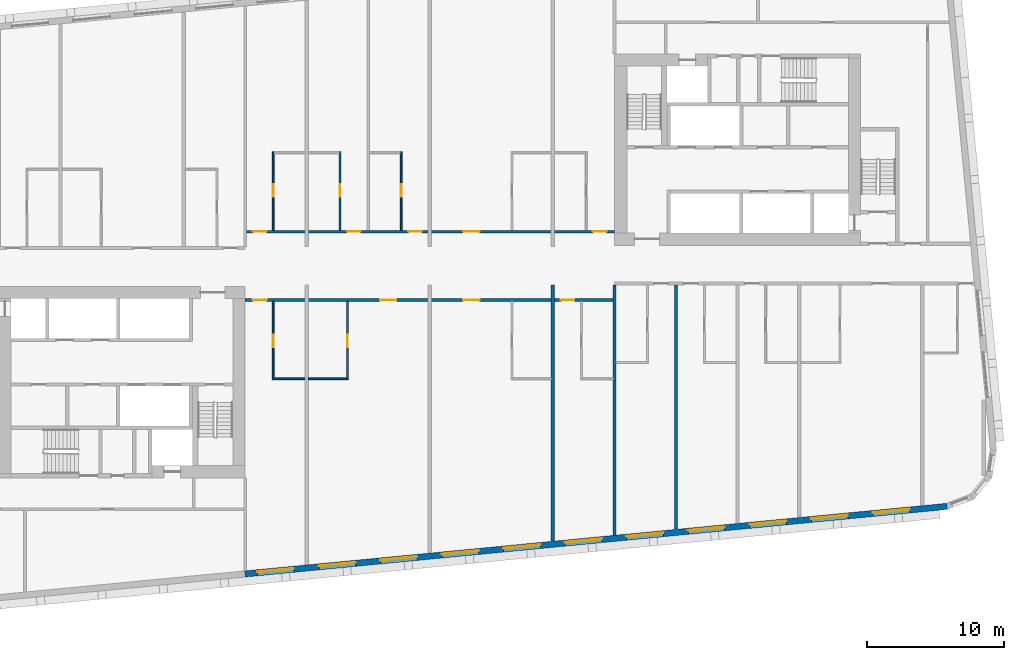
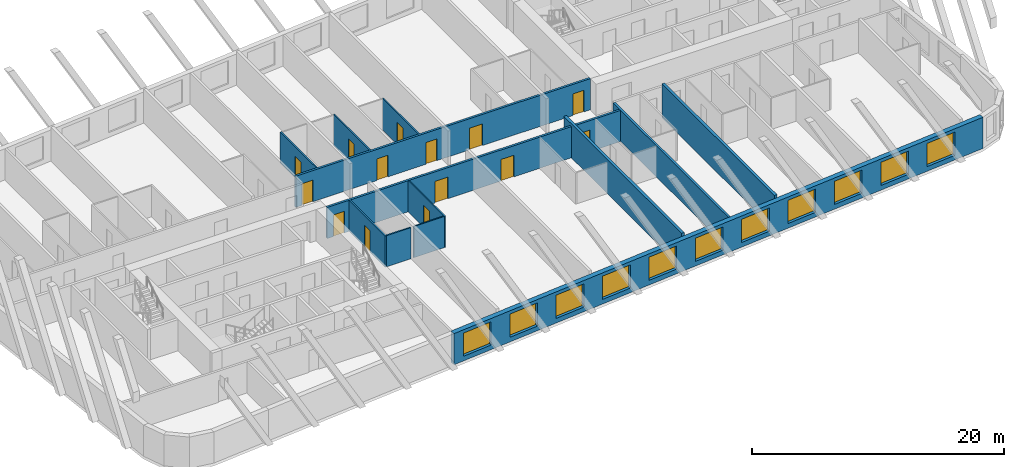
# One storey, part 4 of 13: 14 doors, 13 walls, 11 windows, 25 openings.
"""IFC4 building model written with IfcOpenShell, lengths in metres."""

import ifcopenshell
import ifcopenshell.guid

model = None  # the IFC model being written
_history = None  # IfcOwnerHistory: only IFC2X3 demands one
_inside = {}  # id of a spatial element -> (the spatial element, [elements in it])
_under = {}  # id of a project, library or spatial element -> (it, [spatial elements below it])
_declared = {}  # id of a project -> (the project, [libraries it declares])
_typed = {}  # id of a type object -> (the type object, [elements of that type])
_made_of = {}  # id of a material, layer set ... -> (it, [elements and type objects made of it])


def new_model(schema):
    """Start an empty IFC model of exactly this schema.

    Asked for "IFC4X3", IfcOpenShell would pick the latest addendum, in which some entities
    have other attributes; the version numbers below select the first issue.
    IFC2X3 requires an IfcOwnerHistory on every rooted entity: one is made here for all.
    """
    global model, _history
    if schema == "IFC4X3":
        model = ifcopenshell.file(schema_version=(4, 3, 0, 0))
    else:
        model = ifcopenshell.file(schema=schema)
    _inside.clear()
    _under.clear()
    _declared.clear()
    _typed.clear()
    _made_of.clear()
    _history = None
    if model.schema == "IFC2X3":
        org = make("IfcOrganization", Name="unknown")
        user = make(
            "IfcPersonAndOrganization",
            ThePerson=make("IfcPerson", FamilyName="unknown"),
            TheOrganization=org,
        )
        app = make(
            "IfcApplication",
            ApplicationDeveloper=org,
            Version="unknown",
            ApplicationFullName="unknown",
            ApplicationIdentifier="unknown",
        )
        _history = make(
            "IfcOwnerHistory",
            OwningUser=user,
            OwningApplication=app,
            ChangeAction="ADDED",
            CreationDate=0,
        )
    return model


def make(cls, **values):
    """One entity of the class cls with the attributes given. An attribute that is None is left unset."""
    return model.create_entity(
        cls, **{name: value for name, value in values.items() if value is not None}
    )


def rooted(cls, **values):
    """An entity with a GlobalId (a new one), such as an element, a storey or a relation."""
    return make(cls, GlobalId=ifcopenshell.guid.new(), OwnerHistory=_history, **values)


def si_unit(unit_type, name, prefix=None):
    """IfcSIUnit, for example si_unit("LENGTHUNIT", "METRE", prefix="MILLI")."""
    return make("IfcSIUnit", UnitType=unit_type, Prefix=prefix, Name=name)


def assignment(units):
    """IfcUnitAssignment: the units of a project."""
    return None if units is None else make("IfcUnitAssignment", Units=units)


def point(xyz):
    """IfcCartesianPoint."""
    return None if xyz is None else make("IfcCartesianPoint", Coordinates=xyz)


def direction(xyz):
    """IfcDirection."""
    return None if xyz is None else make("IfcDirection", DirectionRatios=xyz)


def frame(location, z_axis=None, x_axis=None):
    """IfcAxis2Placement3D, a coordinate frame: its origin and axes. An axis left out is left unset."""
    return make(
        "IfcAxis2Placement3D",
        Location=point(location),
        Axis=direction(z_axis),
        RefDirection=direction(x_axis),
    )


def frame_2d(location, x_axis=None):
    """IfcAxis2Placement2D, a coordinate frame in the plane: its origin and x axis."""
    return make(
        "IfcAxis2Placement2D", Location=point(location), RefDirection=direction(x_axis)
    )


def origin():
    """The frame at (0, 0, 0) with its axes left unset."""
    return frame((0.0, 0.0, 0.0))


def place(relative_to, where):
    """IfcLocalPlacement: puts the frame where relative to a parent placement (None: the world)."""
    return make(
        "IfcLocalPlacement", PlacementRelTo=relative_to, RelativePlacement=where
    )


def context(
    kind, dimensions, precision=None, world=None, true_north=None, identifier=None
):
    """IfcGeometricRepresentationContext, for example the 3D "Model" context."""
    return make(
        "IfcGeometricRepresentationContext",
        ContextIdentifier=identifier,
        ContextType=kind,
        CoordinateSpaceDimension=dimensions,
        Precision=precision,
        WorldCoordinateSystem=world,
        TrueNorth=true_north,
    )


def subcontext(parent, identifier, kind, view, scale=None):
    """IfcGeometricRepresentationSubContext, for example "Body" below "Model"."""
    return make(
        "IfcGeometricRepresentationSubContext",
        ContextIdentifier=identifier,
        ContextType=kind,
        ParentContext=parent,
        TargetScale=scale,
        TargetView=view,
    )


def project(units=None, contexts=None):
    """IfcProject with its units and contexts."""
    return rooted(
        "IfcProject",
        Name="project",
        RepresentationContexts=contexts,
        UnitsInContext=assignment(units),
    )


def spatial(cls, under=None, at=None, **own):
    """A site, building, storey or space (cls), placed at a placement, below another one or the project."""
    s = rooted(cls, ObjectPlacement=at, **own)
    if under is not None:
        _under.setdefault(under.id(), (under, []))[1].append(s)
    return s


def profile(cls, at=None, kind="AREA", **sizes):
    """A parametric profile (cls). Its sizes go by their IFC names, for example OverallWidth=200.0."""
    return make(cls, ProfileType=kind, Position=at, **sizes)


def rectangle(**sizes):
    """IfcRectangleProfileDef."""
    return profile("IfcRectangleProfileDef", **sizes)


def extrude(swept, where, along, depth):
    """IfcExtrudedAreaSolid: the profile swept, set in the frame where, extruded along a direction by depth."""
    return make(
        "IfcExtrudedAreaSolid",
        SweptArea=swept,
        Position=where,
        ExtrudedDirection=direction(along),
        Depth=depth,
    )


def shape(context_of_items, identifier, shape_type, items):
    """IfcShapeRepresentation: the items that make up one representation, for example the "Body"."""
    return make(
        "IfcShapeRepresentation",
        ContextOfItems=context_of_items,
        RepresentationIdentifier=identifier,
        RepresentationType=shape_type,
        Items=items,
    )


def material(Name=None, Category=None):
    """IfcMaterial."""
    return make("IfcMaterial", Name=Name, Category=Category)


def layer(
    of_material, thickness, ventilated=None, Name=None, Category=None, Priority=None
):
    """IfcMaterialLayer: one layer of a wall or slab, of a material (None: an air gap)."""
    return make(
        "IfcMaterialLayer",
        Material=of_material,
        LayerThickness=thickness,
        IsVentilated=ventilated,
        Name=Name,
        Category=Category,
        Priority=Priority,
    )


def layer_set(layers, Name=None):
    """IfcMaterialLayerSet."""
    return make("IfcMaterialLayerSet", MaterialLayers=layers, LayerSetName=Name)


def made_of(thing, what):
    """Note that an element or type object is made of a material, layer set ...; save() writes the relation."""
    if what is not None:
        _made_of.setdefault(what.id(), (what, []))[1].append(thing)
    return thing


def type_object(cls, material=None, **own):
    """A type object (cls), such as IfcWallType, which elements share."""
    return made_of(rooted(cls, **own), material)


def element(
    cls,
    number,
    at=None,
    inside=None,
    cuts=None,
    type_object=None,
    material=None,
    context=None,
    identifier="Body",
    shape_type=None,
    held_by="IfcProductDefinitionShape",
    body=None,
    shapes=None,
    **own,
):
    """One element of the class cls, such as IfcWall. Its Tag is "e" and its number.

    at: its placement. inside: the storey or other place that contains it. cuts: it is an
    opening in that element (IfcRelVoidsElement). A single representation is given by context,
    identifier, shape_type and body (its items); several are given by shapes. held_by: the class
    of the entity that holds the representations. save() writes the other relations.
    """
    e = rooted(cls, Tag="e%d" % number, ObjectPlacement=at, **own)
    if body is not None:
        shapes = [shape(context, identifier, shape_type, body)]
    if shapes is not None:
        e.Representation = make(held_by, Representations=shapes)
    if inside is not None:
        _inside.setdefault(inside.id(), (inside, []))[1].append(e)
    if cuts is not None:
        rooted(
            "IfcRelVoidsElement", RelatingBuildingElement=cuts, RelatedOpeningElement=e
        )
    if type_object is not None:
        _typed.setdefault(type_object.id(), (type_object, []))[1].append(e)
    return made_of(e, material)


def fill(opening, filler):
    """IfcRelFillsElement: the door or window that sits in an opening."""
    return rooted(
        "IfcRelFillsElement",
        RelatingOpeningElement=opening,
        RelatedBuildingElement=filler,
    )


def aggregate(whole, parts):
    """IfcRelAggregates: a whole, such as a stair, and the parts it consists of."""
    return rooted("IfcRelAggregates", RelatingObject=whole, RelatedObjects=parts)


def save(model, path):
    """Write the relations noted so far, then the file.

    IfcRelAggregates (storeys below a building ...), IfcRelContainedInSpatialStructure (elements
    in a storey), IfcRelDefinesByType, IfcRelAssociatesMaterial and IfcRelDeclares: one each for
    every whole, place, type object, material and project.
    """
    for whole, parts in _under.values():
        aggregate(whole, parts)
    for where, things in _inside.values():
        rooted(
            "IfcRelContainedInSpatialStructure",
            RelatedElements=things,
            RelatingStructure=where,
        )
    for kind, things in _typed.values():
        rooted("IfcRelDefinesByType", RelatedObjects=things, RelatingType=kind)
    for what, things in _made_of.values():
        rooted("IfcRelAssociatesMaterial", RelatedObjects=things, RelatingMaterial=what)
    for by, libraries in _declared.values():
        rooted("IfcRelDeclares", RelatingContext=by, RelatedDefinitions=libraries)
    model.write(path)


model = new_model("IFC4")

# Units and contexts
model_context = context("Model", 3, precision=1e-05, world=origin(), true_north=direction((0.0, 1.0)))
body_context = subcontext(model_context, "Body", "Model", "MODEL_VIEW")
ifc_project = project(units=[si_unit("LENGTHUNIT", "METRE"), si_unit("AREAUNIT", "SQUARE_METRE"), si_unit("VOLUMEUNIT", "CUBIC_METRE"), si_unit("PLANEANGLEUNIT", "RADIAN"), si_unit("MASSUNIT", "GRAM", prefix="KILO")], contexts=[model_context])

# Site, building, storey
site_placement = place(None, origin())
site = spatial("IfcSite", under=ifc_project, at=site_placement, CompositionType="ELEMENT")
building_placement = place(site_placement, origin())
building = spatial("IfcBuilding", under=site, at=building_placement, Name="Kajstack Hotel Tower", CompositionType="ELEMENT")
storey_placement = place(building_placement, frame((0.0, 0.0, 166.89990234375)))
storey = spatial("IfcBuildingStorey", under=building, at=storey_placement, Name="L38", CompositionType="ELEMENT", Elevation=166.89990234375)

# Wall, openings, doors
ifc_material_1 = material(Name="Gypsum board on steel studs, mineral wool", Category="steel")
ifc_layer_1 = layer(ifc_material_1, 0.199951171875)
ifc_layer_set_1 = layer_set([ifc_layer_1], Name="Corridor wall 200")
wall_type_1 = type_object("IfcWallType", Name="Corridor wall 200", PredefinedType="PARTITIONING", material=ifc_layer_set_1)
wall_1_placement = place(storey_placement, frame((-13.5, 2.5, 0.0), z_axis=(0.0, 0.0, 1.0), x_axis=(1.0, 0.0, 0.0)))
wall_1 = element("IfcWall", 1, at=wall_1_placement, inside=storey, type_object=wall_type_1, Name="G-wall-L38-004", PredefinedType="PARTITIONING", context=body_context, shape_type="SweptSolid", body=[
    extrude(rectangle(XDim=27.0, YDim=0.199951171875, at=frame_2d((13.5, 0.0))), origin(), (0.0, 0.0, 1.0), 3.02001953125),
])
opening_1_placement = place(wall_1_placement, frame((0.574951171875, 0.0, 0.0)))
opening_1 = element("IfcOpeningElement", 2, at=opening_1_placement, cuts=wall_1, Name="Opening 38013", PredefinedType="OPENING", context=body_context, shape_type="SweptSolid", body=[
    extrude(rectangle(XDim=1.0, YDim=2.10009765625, at=frame_2d((0.5, 1.050048828125))), frame((0.0, 0.10986328125, 0.0), z_axis=(0.0, -1.0, 0.0), x_axis=(1.0, 0.0, 0.0)), (0.0, 0.0, 1.0), 0.219970703125),
])
opening_2_placement = place(wall_1_placement, frame((7.449951171875, 0.0, 0.0)))
opening_2 = element("IfcOpeningElement", 3, at=opening_2_placement, cuts=wall_1, Name="Opening 38015", PredefinedType="OPENING", context=body_context, shape_type="SweptSolid", body=[
    extrude(rectangle(XDim=1.0, YDim=2.10009765625, at=frame_2d((0.5, 1.050048828125))), frame((0.0, 0.10986328125, 0.0), z_axis=(0.0, -1.0, 0.0), x_axis=(1.0, 0.0, 0.0)), (0.0, 0.0, 1.0), 0.219970703125),
])
opening_3_placement = place(wall_1_placement, frame((11.925048828125, 0.0, 0.0)))
opening_3 = element("IfcOpeningElement", 4, at=opening_3_placement, cuts=wall_1, Name="Opening 38017", PredefinedType="OPENING", context=body_context, shape_type="SweptSolid", body=[
    extrude(rectangle(XDim=1.0, YDim=2.10009765625, at=frame_2d((0.5, 1.050048828125))), frame((0.0, 0.10986328125, 0.0), z_axis=(0.0, -1.0, 0.0), x_axis=(1.0, 0.0, 0.0)), (0.0, 0.0, 1.0), 0.219970703125),
])
opening_4_placement = place(wall_1_placement, frame((15.93798828125, 0.0, 0.0)))
opening_4 = element("IfcOpeningElement", 5, at=opening_4_placement, cuts=wall_1, Name="Opening 38019", PredefinedType="OPENING", context=body_context, shape_type="SweptSolid", body=[
    extrude(rectangle(XDim=1.199951171875, YDim=2.10009765625, at=frame_2d((0.60009765625, 1.050048828125))), frame((0.0, 0.10986328125, 0.0), z_axis=(0.0, -1.0, 0.0), x_axis=(1.0, 0.0, 0.0)), (0.0, 0.0, 1.0), 0.219970703125),
])
opening_5_placement = place(wall_1_placement, frame((25.425048828125, 0.0, 0.0)))
opening_5 = element("IfcOpeningElement", 6, at=opening_5_placement, cuts=wall_1, Name="Opening 38021", PredefinedType="OPENING", context=body_context, shape_type="SweptSolid", body=[
    extrude(rectangle(XDim=1.0, YDim=2.10009765625, at=frame_2d((0.5, 1.050048828125))), frame((0.0, 0.10986328125, 0.0), z_axis=(0.0, -1.0, 0.0), x_axis=(1.0, 0.0, 0.0)), (0.0, 0.0, 1.0), 0.219970703125),
])
ifc_material_2 = material(Name="Oak veneer on timber core, fire-rated leaf", Category="wood")
door_type_1 = type_object("IfcDoorType", Name="Flat entrance door 1000", OperationType="SINGLE_SWING_LEFT", PredefinedType="DOOR", material=ifc_material_2)
door_1_placement = place(opening_1_placement, origin())
door_1 = element("IfcDoor", 7, at=door_1_placement, inside=storey, type_object=door_type_1, Name="G-door-L38-13", OperationType="SINGLE_SWING_RIGHT", OverallHeight=2.10009765625, OverallWidth=1.0, PredefinedType="DOOR", context=body_context, shape_type="SweptSolid", body=[
    extrude(rectangle(XDim=1.0, YDim=2.10009765625, at=frame_2d((0.5, 1.050048828125))), frame((0.0, 0.02490234375, 0.0), z_axis=(0.0, -1.0, 0.0), x_axis=(1.0, 0.0, 0.0)), (0.0, 0.0, 1.0), 0.050048828125),
])
fill(opening_1, door_1)
door_2_placement = place(opening_2_placement, origin())
door_2 = element("IfcDoor", 8, at=door_2_placement, inside=storey, type_object=door_type_1, Name="G-door-L38-15", OperationType="SINGLE_SWING_LEFT", OverallHeight=2.10009765625, OverallWidth=1.0, PredefinedType="DOOR", context=body_context, shape_type="SweptSolid", body=[
    extrude(rectangle(XDim=1.0, YDim=2.10009765625, at=frame_2d((0.5, 1.050048828125))), frame((0.0, 0.02490234375, 0.0), z_axis=(0.0, -1.0, 0.0), x_axis=(1.0, 0.0, 0.0)), (0.0, 0.0, 1.0), 0.050048828125),
])
fill(opening_2, door_2)
door_3_placement = place(opening_3_placement, origin())
door_3 = element("IfcDoor", 9, at=door_3_placement, inside=storey, type_object=door_type_1, Name="G-door-L38-17", OperationType="SINGLE_SWING_RIGHT", OverallHeight=2.10009765625, OverallWidth=1.0, PredefinedType="DOOR", context=body_context, shape_type="SweptSolid", body=[
    extrude(rectangle(XDim=1.0, YDim=2.10009765625, at=frame_2d((0.5, 1.050048828125))), frame((0.0, 0.02490234375, 0.0), z_axis=(0.0, -1.0, 0.0), x_axis=(1.0, 0.0, 0.0)), (0.0, 0.0, 1.0), 0.050048828125),
])
fill(opening_3, door_3)
door_4_placement = place(opening_5_placement, origin())
door_4 = element("IfcDoor", 10, at=door_4_placement, inside=storey, type_object=door_type_1, Name="G-door-L38-21", OperationType="SINGLE_SWING_LEFT", OverallHeight=2.10009765625, OverallWidth=1.0, PredefinedType="DOOR", context=body_context, shape_type="SweptSolid", body=[
    extrude(rectangle(XDim=1.0, YDim=2.10009765625, at=frame_2d((0.5, 1.050048828125))), frame((0.0, 0.02490234375, 0.0), z_axis=(0.0, -1.0, 0.0), x_axis=(1.0, 0.0, 0.0)), (0.0, 0.0, 1.0), 0.050048828125),
])
fill(opening_5, door_4)
door_type_2 = type_object("IfcDoorType", Name="Flat entrance door 1200", OperationType="SINGLE_SWING_LEFT", PredefinedType="DOOR", material=ifc_material_2)
door_5_placement = place(opening_4_placement, origin())
door_5 = element("IfcDoor", 11, at=door_5_placement, inside=storey, type_object=door_type_2, Name="G-door-L38-19", OperationType="SINGLE_SWING_RIGHT", OverallHeight=2.10009765625, OverallWidth=1.199951171875, PredefinedType="DOOR", context=body_context, shape_type="SweptSolid", body=[
    extrude(rectangle(XDim=1.199951171875, YDim=2.10009765625, at=frame_2d((0.60009765625, 1.050048828125))), frame((0.0, 0.02490234375, 0.0), z_axis=(0.0, -1.0, 0.0), x_axis=(1.0, 0.0, 0.0)), (0.0, 0.0, 1.0), 0.050048828125),
])
fill(opening_4, door_5)

wall_2_placement = place(storey_placement, frame((-13.5, -2.5, 0.0), z_axis=(0.0, 0.0, 1.0), x_axis=(1.0, 0.0, 0.0)))
wall_2 = element("IfcWall", 12, at=wall_2_placement, inside=storey, type_object=wall_type_1, Name="G-wall-L38-031", PredefinedType="PARTITIONING", context=body_context, shape_type="SweptSolid", body=[
    extrude(rectangle(XDim=27.0, YDim=0.199951171875, at=frame_2d((13.5, 0.0))), origin(), (0.0, 0.0, 1.0), 3.02001953125),
])
opening_6_placement = place(wall_2_placement, frame((0.574951171875, 0.0, 0.0)))
opening_6 = element("IfcOpeningElement", 13, at=opening_6_placement, cuts=wall_2, Name="Opening 38023", PredefinedType="OPENING", context=body_context, shape_type="SweptSolid", body=[
    extrude(rectangle(XDim=1.0, YDim=2.10009765625, at=frame_2d((0.5, 1.050048828125))), frame((0.0, 0.10986328125, 0.0), z_axis=(0.0, -1.0, 0.0), x_axis=(1.0, 0.0, 0.0)), (0.0, 0.0, 1.0), 0.219970703125),
])
opening_7_placement = place(wall_2_placement, frame((9.863037109375, 0.0, 0.0)))
opening_7 = element("IfcOpeningElement", 14, at=opening_7_placement, cuts=wall_2, Name="Opening 38025", PredefinedType="OPENING", context=body_context, shape_type="SweptSolid", body=[
    extrude(rectangle(XDim=1.199951171875, YDim=2.10009765625, at=frame_2d((0.60009765625, 1.050048828125))), frame((0.0, 0.10986328125, 0.0), z_axis=(0.0, -1.0, 0.0), x_axis=(1.0, 0.0, 0.0)), (0.0, 0.0, 1.0), 0.219970703125),
])
opening_8_placement = place(wall_2_placement, frame((15.93798828125, 0.0, 0.0)))
opening_8 = element("IfcOpeningElement", 15, at=opening_8_placement, cuts=wall_2, Name="Opening 38027", PredefinedType="OPENING", context=body_context, shape_type="SweptSolid", body=[
    extrude(rectangle(XDim=1.199951171875, YDim=2.10009765625, at=frame_2d((0.60009765625, 1.050048828125))), frame((0.0, 0.10986328125, 0.0), z_axis=(0.0, -1.0, 0.0), x_axis=(1.0, 0.0, 0.0)), (0.0, 0.0, 1.0), 0.219970703125),
])
opening_9_placement = place(wall_2_placement, frame((23.074951171875, 0.0, 0.0)))
opening_9 = element("IfcOpeningElement", 16, at=opening_9_placement, cuts=wall_2, Name="Opening 38029", PredefinedType="OPENING", context=body_context, shape_type="SweptSolid", body=[
    extrude(rectangle(XDim=1.0, YDim=2.10009765625, at=frame_2d((0.5, 1.050048828125))), frame((0.0, 0.10986328125, 0.0), z_axis=(0.0, -1.0, 0.0), x_axis=(1.0, 0.0, 0.0)), (0.0, 0.0, 1.0), 0.219970703125),
])
door_6_placement = place(opening_6_placement, origin())
door_6 = element("IfcDoor", 17, at=door_6_placement, inside=storey, type_object=door_type_1, Name="G-door-L38-23", OperationType="SINGLE_SWING_LEFT", OverallHeight=2.10009765625, OverallWidth=1.0, PredefinedType="DOOR", context=body_context, shape_type="SweptSolid", body=[
    extrude(rectangle(XDim=1.0, YDim=2.10009765625, at=frame_2d((0.5, 1.050048828125))), frame((0.0, 0.02490234375, 0.0), z_axis=(0.0, -1.0, 0.0), x_axis=(1.0, 0.0, 0.0)), (0.0, 0.0, 1.0), 0.050048828125),
])
fill(opening_6, door_6)
door_7_placement = place(opening_9_placement, origin())
door_7 = element("IfcDoor", 18, at=door_7_placement, inside=storey, type_object=door_type_1, Name="G-door-L38-29", OperationType="SINGLE_SWING_RIGHT", OverallHeight=2.10009765625, OverallWidth=1.0, PredefinedType="DOOR", context=body_context, shape_type="SweptSolid", body=[
    extrude(rectangle(XDim=1.0, YDim=2.10009765625, at=frame_2d((0.5, 1.050048828125))), frame((0.0, 0.02490234375, 0.0), z_axis=(0.0, -1.0, 0.0), x_axis=(1.0, 0.0, 0.0)), (0.0, 0.0, 1.0), 0.050048828125),
])
fill(opening_9, door_7)
door_8_placement = place(opening_7_placement, origin())
door_8 = element("IfcDoor", 19, at=door_8_placement, inside=storey, type_object=door_type_2, Name="G-door-L38-25", OperationType="SINGLE_SWING_LEFT", OverallHeight=2.10009765625, OverallWidth=1.199951171875, PredefinedType="DOOR", context=body_context, shape_type="SweptSolid", body=[
    extrude(rectangle(XDim=1.199951171875, YDim=2.10009765625, at=frame_2d((0.60009765625, 1.050048828125))), frame((0.0, 0.02490234375, 0.0), z_axis=(0.0, -1.0, 0.0), x_axis=(1.0, 0.0, 0.0)), (0.0, 0.0, 1.0), 0.050048828125),
])
fill(opening_7, door_8)
door_9_placement = place(opening_8_placement, origin())
door_9 = element("IfcDoor", 20, at=door_9_placement, inside=storey, type_object=door_type_2, Name="G-door-L38-27", OperationType="SINGLE_SWING_LEFT", OverallHeight=2.10009765625, OverallWidth=1.199951171875, PredefinedType="DOOR", context=body_context, shape_type="SweptSolid", body=[
    extrude(rectangle(XDim=1.199951171875, YDim=2.10009765625, at=frame_2d((0.60009765625, 1.050048828125))), frame((0.0, 0.02490234375, 0.0), z_axis=(0.0, -1.0, 0.0), x_axis=(1.0, 0.0, 0.0)), (0.0, 0.0, 1.0), 0.050048828125),
])
fill(opening_8, door_9)

# Wall
ifc_material_3 = material(Name="Twin-frame gypsum board on steel studs, mineral wool", Category="steel")
ifc_layer_2 = layer(ifc_material_3, 0.199951171875)
ifc_layer_set_2 = layer_set([ifc_layer_2], Name="Demising wall 200")
wall_type_2 = type_object("IfcWallType", Name="Demising wall 200", PredefinedType="PARTITIONING", material=ifc_layer_set_2)
wall_3_placement = place(storey_placement, frame((13.5, -19.700927734375, 0.0), z_axis=(0.0, 0.0, 1.0), x_axis=(0.0, 1.0, 0.0)))
element("IfcWall", 21, at=wall_3_placement, inside=storey, type_object=wall_type_2, Name="G-wall-L38-039", PredefinedType="PARTITIONING", context=body_context, shape_type="SweptSolid", body=[
    extrude(rectangle(XDim=18.301025390625, YDim=0.199951171875, at=frame_2d((9.150390625, 0.0))), origin(), (0.0, 0.0, 1.0), 3.02001953125),
])

# Wall, openings, windows
ifc_material_4 = material(Name="Terracotta-faced brick masonry", Category="masonry")
ifc_layer_3 = layer(ifc_material_4, 0.449951171875)
ifc_layer_set_3 = layer_set([ifc_layer_3], Name="EW-TERRA")
wall_type_3 = type_object("IfcWallType", Name="EW-TERRA", PredefinedType="SOLIDWALL", material=ifc_layer_set_3)
wall_4_placement = place(storey_placement, frame((-13.521484375, -22.528564453125, 0.0), z_axis=(0.0, 0.0, 1.0), x_axis=(0.995396436651, 0.095843277819, 0.0)))
wall_4 = element("IfcWall", 22, at=wall_4_placement, inside=storey, type_object=wall_type_3, Name="E-wall-L38-04-02", PredefinedType="SOLIDWALL", context=body_context, shape_type="SweptSolid", body=[
    extrude(rectangle(XDim=51.57763671875, YDim=0.449951171875, at=frame_2d((25.788818359375, 0.0))), origin(), (0.0, 0.0, 1.0), 3.02001953125),
])
opening_10_placement = place(wall_4_placement, frame((0.910400390625, 0.0, 0.449951171875)))
opening_10 = element("IfcOpeningElement", 23, at=opening_10_placement, cuts=wall_4, Name="Opening W1", PredefinedType="OPENING", context=body_context, shape_type="SweptSolid", body=[
    extrude(rectangle(XDim=2.699951171875, YDim=2.25, at=frame_2d((1.35009765625, 1.125))), frame((0.0, 0.23486328125, 0.0), z_axis=(0.0, -1.0, 0.0), x_axis=(1.0, 0.0, 0.0)), (0.0, 0.0, 1.0), 0.469970703125),
])
opening_11_placement = place(wall_4_placement, frame((5.431396484375, 0.0, 0.449951171875)))
opening_11 = element("IfcOpeningElement", 24, at=opening_11_placement, cuts=wall_4, Name="Opening W1", PredefinedType="OPENING", context=body_context, shape_type="SweptSolid", body=[
    extrude(rectangle(XDim=2.699951171875, YDim=2.25, at=frame_2d((1.35009765625, 1.125))), frame((0.0, 0.23486328125, 0.0), z_axis=(0.0, -1.0, 0.0), x_axis=(1.0, 0.0, 0.0)), (0.0, 0.0, 1.0), 0.469970703125),
])
opening_12_placement = place(wall_4_placement, frame((9.9521484375, 0.0, 0.449951171875)))
opening_12 = element("IfcOpeningElement", 25, at=opening_12_placement, cuts=wall_4, Name="Opening W1", PredefinedType="OPENING", context=body_context, shape_type="SweptSolid", body=[
    extrude(rectangle(XDim=2.699951171875, YDim=2.25, at=frame_2d((1.35009765625, 1.125))), frame((0.0, 0.23486328125, 0.0), z_axis=(0.0, -1.0, 0.0), x_axis=(1.0, 0.0, 0.0)), (0.0, 0.0, 1.0), 0.469970703125),
])
opening_13_placement = place(wall_4_placement, frame((14.472900390625, 0.0, 0.449951171875)))
opening_13 = element("IfcOpeningElement", 26, at=opening_13_placement, cuts=wall_4, Name="Opening W1", PredefinedType="OPENING", context=body_context, shape_type="SweptSolid", body=[
    extrude(rectangle(XDim=2.699951171875, YDim=2.25, at=frame_2d((1.35009765625, 1.125))), frame((0.0, 0.23486328125, 0.0), z_axis=(0.0, -1.0, 0.0), x_axis=(1.0, 0.0, 0.0)), (0.0, 0.0, 1.0), 0.469970703125),
])
opening_14_placement = place(wall_4_placement, frame((18.99365234375, 0.0, 0.449951171875)))
opening_14 = element("IfcOpeningElement", 27, at=opening_14_placement, cuts=wall_4, Name="Opening W1", PredefinedType="OPENING", context=body_context, shape_type="SweptSolid", body=[
    extrude(rectangle(XDim=2.699951171875, YDim=2.25, at=frame_2d((1.35009765625, 1.125))), frame((0.0, 0.23486328125, 0.0), z_axis=(0.0, -1.0, 0.0), x_axis=(1.0, 0.0, 0.0)), (0.0, 0.0, 1.0), 0.469970703125),
])
opening_15_placement = place(wall_4_placement, frame((23.514404296875, 0.0, 0.449951171875)))
opening_15 = element("IfcOpeningElement", 28, at=opening_15_placement, cuts=wall_4, Name="Opening W1", PredefinedType="OPENING", context=body_context, shape_type="SweptSolid", body=[
    extrude(rectangle(XDim=2.699951171875, YDim=2.25, at=frame_2d((1.35009765625, 1.125))), frame((0.0, 0.23486328125, 0.0), z_axis=(0.0, -1.0, 0.0), x_axis=(1.0, 0.0, 0.0)), (0.0, 0.0, 1.0), 0.469970703125),
])
opening_16_placement = place(wall_4_placement, frame((28.035400390625, 0.0, 0.449951171875)))
opening_16 = element("IfcOpeningElement", 29, at=opening_16_placement, cuts=wall_4, Name="Opening W1", PredefinedType="OPENING", context=body_context, shape_type="SweptSolid", body=[
    extrude(rectangle(XDim=2.699951171875, YDim=2.25, at=frame_2d((1.35009765625, 1.125))), frame((0.0, 0.23486328125, 0.0), z_axis=(0.0, -1.0, 0.0), x_axis=(1.0, 0.0, 0.0)), (0.0, 0.0, 1.0), 0.469970703125),
])
opening_17_placement = place(wall_4_placement, frame((32.55615234375, 0.0, 0.449951171875)))
opening_17 = element("IfcOpeningElement", 30, at=opening_17_placement, cuts=wall_4, Name="Opening W1", PredefinedType="OPENING", context=body_context, shape_type="SweptSolid", body=[
    extrude(rectangle(XDim=2.699951171875, YDim=2.25, at=frame_2d((1.35009765625, 1.125))), frame((0.0, 0.23486328125, 0.0), z_axis=(0.0, -1.0, 0.0), x_axis=(1.0, 0.0, 0.0)), (0.0, 0.0, 1.0), 0.469970703125),
])
opening_18_placement = place(wall_4_placement, frame((37.076904296875, 0.0, 0.449951171875)))
opening_18 = element("IfcOpeningElement", 31, at=opening_18_placement, cuts=wall_4, Name="Opening W1", PredefinedType="OPENING", context=body_context, shape_type="SweptSolid", body=[
    extrude(rectangle(XDim=2.699951171875, YDim=2.25, at=frame_2d((1.35009765625, 1.125))), frame((0.0, 0.23486328125, 0.0), z_axis=(0.0, -1.0, 0.0), x_axis=(1.0, 0.0, 0.0)), (0.0, 0.0, 1.0), 0.469970703125),
])
opening_19_placement = place(wall_4_placement, frame((41.597900390625, 0.0, 0.449951171875)))
opening_19 = element("IfcOpeningElement", 32, at=opening_19_placement, cuts=wall_4, Name="Opening W1", PredefinedType="OPENING", context=body_context, shape_type="SweptSolid", body=[
    extrude(rectangle(XDim=2.699951171875, YDim=2.25, at=frame_2d((1.35009765625, 1.125))), frame((0.0, 0.23486328125, 0.0), z_axis=(0.0, -1.0, 0.0), x_axis=(1.0, 0.0, 0.0)), (0.0, 0.0, 1.0), 0.469970703125),
])
opening_20_placement = place(wall_4_placement, frame((46.11865234375, 0.0, 0.449951171875)))
opening_20 = element("IfcOpeningElement", 33, at=opening_20_placement, cuts=wall_4, Name="Opening W1", PredefinedType="OPENING", context=body_context, shape_type="SweptSolid", body=[
    extrude(rectangle(XDim=2.699951171875, YDim=2.25, at=frame_2d((1.35009765625, 1.125))), frame((0.0, 0.23486328125, 0.0), z_axis=(0.0, -1.0, 0.0), x_axis=(1.0, 0.0, 0.0)), (0.0, 0.0, 1.0), 0.469970703125),
])
ifc_material_5 = material(Name="Timber-aluminium window, triple glazed", Category="wood")
window_type = type_object("IfcWindowType", Name="WG1", PartitioningType="SINGLE_PANEL", PredefinedType="WINDOW", material=ifc_material_5)
window_1_placement = place(opening_10_placement, origin())
window_1 = element("IfcWindow", 34, at=window_1_placement, inside=storey, type_object=window_type, Name="Window W1 L38-04", OverallHeight=2.25, OverallWidth=2.699951171875, PartitioningType="SINGLE_PANEL", PredefinedType="WINDOW", context=body_context, shape_type="SweptSolid", body=[
    extrude(rectangle(XDim=2.699951171875, YDim=2.25, at=frame_2d((1.35009765625, 1.125))), frame((0.0, 0.090087890625, 0.0), z_axis=(0.0, -1.0, 0.0), x_axis=(1.0, 0.0, 0.0)), (0.0, 0.0, 1.0), 0.06005859375),
])
fill(opening_10, window_1)
window_2_placement = place(opening_11_placement, origin())
window_2 = element("IfcWindow", 35, at=window_2_placement, inside=storey, type_object=window_type, Name="Window W1 L38-04", OverallHeight=2.25, OverallWidth=2.699951171875, PartitioningType="SINGLE_PANEL", PredefinedType="WINDOW", context=body_context, shape_type="SweptSolid", body=[
    extrude(rectangle(XDim=2.699951171875, YDim=2.25, at=frame_2d((1.35009765625, 1.125))), frame((0.0, 0.090087890625, 0.0), z_axis=(0.0, -1.0, 0.0), x_axis=(1.0, 0.0, 0.0)), (0.0, 0.0, 1.0), 0.06005859375),
])
fill(opening_11, window_2)
window_3_placement = place(opening_12_placement, origin())
window_3 = element("IfcWindow", 36, at=window_3_placement, inside=storey, type_object=window_type, Name="Window W1 L38-04", OverallHeight=2.25, OverallWidth=2.699951171875, PartitioningType="SINGLE_PANEL", PredefinedType="WINDOW", context=body_context, shape_type="SweptSolid", body=[
    extrude(rectangle(XDim=2.699951171875, YDim=2.25, at=frame_2d((1.35009765625, 1.125))), frame((0.0, 0.090087890625, 0.0), z_axis=(0.0, -1.0, 0.0), x_axis=(1.0, 0.0, 0.0)), (0.0, 0.0, 1.0), 0.06005859375),
])
fill(opening_12, window_3)
window_4_placement = place(opening_13_placement, origin())
window_4 = element("IfcWindow", 37, at=window_4_placement, inside=storey, type_object=window_type, Name="Window W1 L38-04", OverallHeight=2.25, OverallWidth=2.699951171875, PartitioningType="SINGLE_PANEL", PredefinedType="WINDOW", context=body_context, shape_type="SweptSolid", body=[
    extrude(rectangle(XDim=2.699951171875, YDim=2.25, at=frame_2d((1.35009765625, 1.125))), frame((0.0, 0.090087890625, 0.0), z_axis=(0.0, -1.0, 0.0), x_axis=(1.0, 0.0, 0.0)), (0.0, 0.0, 1.0), 0.06005859375),
])
fill(opening_13, window_4)
window_5_placement = place(opening_14_placement, origin())
window_5 = element("IfcWindow", 38, at=window_5_placement, inside=storey, type_object=window_type, Name="Window W1 L38-04", OverallHeight=2.25, OverallWidth=2.699951171875, PartitioningType="SINGLE_PANEL", PredefinedType="WINDOW", context=body_context, shape_type="SweptSolid", body=[
    extrude(rectangle(XDim=2.699951171875, YDim=2.25, at=frame_2d((1.35009765625, 1.125))), frame((0.0, 0.090087890625, 0.0), z_axis=(0.0, -1.0, 0.0), x_axis=(1.0, 0.0, 0.0)), (0.0, 0.0, 1.0), 0.06005859375),
])
fill(opening_14, window_5)
window_6_placement = place(opening_15_placement, origin())
window_6 = element("IfcWindow", 39, at=window_6_placement, inside=storey, type_object=window_type, Name="Window W1 L38-04", OverallHeight=2.25, OverallWidth=2.699951171875, PartitioningType="SINGLE_PANEL", PredefinedType="WINDOW", context=body_context, shape_type="SweptSolid", body=[
    extrude(rectangle(XDim=2.699951171875, YDim=2.25, at=frame_2d((1.35009765625, 1.125))), frame((0.0, 0.090087890625, 0.0), z_axis=(0.0, -1.0, 0.0), x_axis=(1.0, 0.0, 0.0)), (0.0, 0.0, 1.0), 0.06005859375),
])
fill(opening_15, window_6)
window_7_placement = place(opening_16_placement, origin())
window_7 = element("IfcWindow", 40, at=window_7_placement, inside=storey, type_object=window_type, Name="Window W1 L38-04", OverallHeight=2.25, OverallWidth=2.699951171875, PartitioningType="SINGLE_PANEL", PredefinedType="WINDOW", context=body_context, shape_type="SweptSolid", body=[
    extrude(rectangle(XDim=2.699951171875, YDim=2.25, at=frame_2d((1.35009765625, 1.125))), frame((0.0, 0.090087890625, 0.0), z_axis=(0.0, -1.0, 0.0), x_axis=(1.0, 0.0, 0.0)), (0.0, 0.0, 1.0), 0.06005859375),
])
fill(opening_16, window_7)
window_8_placement = place(opening_17_placement, origin())
window_8 = element("IfcWindow", 41, at=window_8_placement, inside=storey, type_object=window_type, Name="Window W1 L38-04", OverallHeight=2.25, OverallWidth=2.699951171875, PartitioningType="SINGLE_PANEL", PredefinedType="WINDOW", context=body_context, shape_type="SweptSolid", body=[
    extrude(rectangle(XDim=2.699951171875, YDim=2.25, at=frame_2d((1.35009765625, 1.125))), frame((0.0, 0.090087890625, 0.0), z_axis=(0.0, -1.0, 0.0), x_axis=(1.0, 0.0, 0.0)), (0.0, 0.0, 1.0), 0.06005859375),
])
fill(opening_17, window_8)
window_9_placement = place(opening_18_placement, origin())
window_9 = element("IfcWindow", 42, at=window_9_placement, inside=storey, type_object=window_type, Name="Window W1 L38-04", OverallHeight=2.25, OverallWidth=2.699951171875, PartitioningType="SINGLE_PANEL", PredefinedType="WINDOW", context=body_context, shape_type="SweptSolid", body=[
    extrude(rectangle(XDim=2.699951171875, YDim=2.25, at=frame_2d((1.35009765625, 1.125))), frame((0.0, 0.090087890625, 0.0), z_axis=(0.0, -1.0, 0.0), x_axis=(1.0, 0.0, 0.0)), (0.0, 0.0, 1.0), 0.06005859375),
])
fill(opening_18, window_9)
window_10_placement = place(opening_19_placement, origin())
window_10 = element("IfcWindow", 43, at=window_10_placement, inside=storey, type_object=window_type, Name="Window W1 L38-04", OverallHeight=2.25, OverallWidth=2.699951171875, PartitioningType="SINGLE_PANEL", PredefinedType="WINDOW", context=body_context, shape_type="SweptSolid", body=[
    extrude(rectangle(XDim=2.699951171875, YDim=2.25, at=frame_2d((1.35009765625, 1.125))), frame((0.0, 0.090087890625, 0.0), z_axis=(0.0, -1.0, 0.0), x_axis=(1.0, 0.0, 0.0)), (0.0, 0.0, 1.0), 0.06005859375),
])
fill(opening_19, window_10)
window_11_placement = place(opening_20_placement, origin())
window_11 = element("IfcWindow", 44, at=window_11_placement, inside=storey, type_object=window_type, Name="Window W1 L38-04", OverallHeight=2.25, OverallWidth=2.699951171875, PartitioningType="SINGLE_PANEL", PredefinedType="WINDOW", context=body_context, shape_type="SweptSolid", body=[
    extrude(rectangle(XDim=2.699951171875, YDim=2.25, at=frame_2d((1.35009765625, 1.125))), frame((0.0, 0.090087890625, 0.0), z_axis=(0.0, -1.0, 0.0), x_axis=(1.0, 0.0, 0.0)), (0.0, 0.0, 1.0), 0.06005859375),
])
fill(opening_20, window_11)

# Wall, opening, door
ifc_material_6 = material(Name="Gypsum board and tiled backer on steel studs", Category="steel")
ifc_layer_4 = layer(ifc_material_6, 0.125)
ifc_layer_set_4 = layer_set([ifc_layer_4], Name="En-suite wall 125")
wall_type_4 = type_object("IfcWallType", Name="En-suite wall 125", PredefinedType="PARTITIONING", material=ifc_layer_set_4)
wall_5_placement = place(storey_placement, frame((-11.43798828125, 2.60009765625, 0.0), z_axis=(0.0, 0.0, 1.0), x_axis=(0.0, 1.0, 0.0)))
wall_5 = element("IfcWall", 45, at=wall_5_placement, inside=storey, type_object=wall_type_4, Name="G-wall-L38-020", PredefinedType="PARTITIONING", context=body_context, shape_type="SweptSolid", body=[
    extrude(rectangle(XDim=5.724853515625, YDim=0.125, at=frame_2d((2.8623046875, 0.0))), origin(), (0.0, 0.0, 1.0), 3.02001953125),
])
opening_21_placement = place(wall_5_placement, frame((2.449951171875, 0.0, 0.0)))
opening_21 = element("IfcOpeningElement", 46, at=opening_21_placement, cuts=wall_5, Name="Opening 38014", PredefinedType="OPENING", context=body_context, shape_type="SweptSolid", body=[
    extrude(rectangle(XDim=0.89990234375, YDim=2.10009765625, at=frame_2d((0.449951171875, 1.050048828125))), frame((0.0, 0.072509765625, 0.0), z_axis=(0.0, -1.0, 0.0), x_axis=(1.0, 0.0, 0.0)), (0.0, 0.0, 1.0), 0.14501953125),
])
ifc_material_7 = material(Name="Painted timber door leaf", Category="wood")
door_type_3 = type_object("IfcDoorType", Name="Room door 900", OperationType="SINGLE_SWING_LEFT", PredefinedType="DOOR", material=ifc_material_7)
door_10_placement = place(opening_21_placement, origin())
door_10 = element("IfcDoor", 47, at=door_10_placement, inside=storey, type_object=door_type_3, Name="G-door-L38-14", OperationType="SINGLE_SWING_LEFT", OverallHeight=2.10009765625, OverallWidth=0.89990234375, PredefinedType="DOOR", context=body_context, shape_type="SweptSolid", body=[
    extrude(rectangle(XDim=0.89990234375, YDim=2.10009765625, at=frame_2d((0.449951171875, 1.050048828125))), frame((0.0, 0.02490234375, 0.0), z_axis=(0.0, -1.0, 0.0), x_axis=(1.0, 0.0, 0.0)), (0.0, 0.0, 1.0), 0.050048828125),
])
fill(opening_21, door_10)

wall_6_placement = place(storey_placement, frame((-6.56201171875, 2.60009765625, 0.0), z_axis=(0.0, 0.0, 1.0), x_axis=(0.0, 1.0, 0.0)))
wall_6 = element("IfcWall", 48, at=wall_6_placement, inside=storey, type_object=wall_type_4, Name="G-wall-L38-023", PredefinedType="PARTITIONING", context=body_context, shape_type="SweptSolid", body=[
    extrude(rectangle(XDim=5.724853515625, YDim=0.125, at=frame_2d((2.8623046875, 0.0))), origin(), (0.0, 0.0, 1.0), 3.02001953125),
])
opening_22_placement = place(wall_6_placement, frame((2.449951171875, 0.0, 0.0)))
opening_22 = element("IfcOpeningElement", 49, at=opening_22_placement, cuts=wall_6, Name="Opening 38016", PredefinedType="OPENING", context=body_context, shape_type="SweptSolid", body=[
    extrude(rectangle(XDim=0.89990234375, YDim=2.10009765625, at=frame_2d((0.449951171875, 1.050048828125))), frame((0.0, 0.072509765625, 0.0), z_axis=(0.0, -1.0, 0.0), x_axis=(1.0, 0.0, 0.0)), (0.0, 0.0, 1.0), 0.14501953125),
])
door_11_placement = place(opening_22_placement, origin())
door_11 = element("IfcDoor", 50, at=door_11_placement, inside=storey, type_object=door_type_3, Name="G-door-L38-16", OperationType="SINGLE_SWING_LEFT", OverallHeight=2.10009765625, OverallWidth=0.89990234375, PredefinedType="DOOR", context=body_context, shape_type="SweptSolid", body=[
    extrude(rectangle(XDim=0.89990234375, YDim=2.10009765625, at=frame_2d((0.449951171875, 1.050048828125))), frame((0.0, 0.02490234375, 0.0), z_axis=(0.0, -1.0, 0.0), x_axis=(1.0, 0.0, 0.0)), (0.0, 0.0, 1.0), 0.050048828125),
])
fill(opening_22, door_11)

wall_7_placement = place(storey_placement, frame((-2.0869140625, 2.60009765625, 0.0), z_axis=(0.0, 0.0, 1.0), x_axis=(0.0, 1.0, 0.0)))
wall_7 = element("IfcWall", 51, at=wall_7_placement, inside=storey, type_object=wall_type_4, Name="G-wall-L38-025", PredefinedType="PARTITIONING", context=body_context, shape_type="SweptSolid", body=[
    extrude(rectangle(XDim=5.724853515625, YDim=0.125, at=frame_2d((2.8623046875, 0.0))), origin(), (0.0, 0.0, 1.0), 3.02001953125),
])
opening_23_placement = place(wall_7_placement, frame((2.449951171875, 0.0, 0.0)))
opening_23 = element("IfcOpeningElement", 52, at=opening_23_placement, cuts=wall_7, Name="Opening 38018", PredefinedType="OPENING", context=body_context, shape_type="SweptSolid", body=[
    extrude(rectangle(XDim=0.89990234375, YDim=2.10009765625, at=frame_2d((0.449951171875, 1.050048828125))), frame((0.0, 0.072509765625, 0.0), z_axis=(0.0, -1.0, 0.0), x_axis=(1.0, 0.0, 0.0)), (0.0, 0.0, 1.0), 0.14501953125),
])
door_12_placement = place(opening_23_placement, origin())
door_12 = element("IfcDoor", 53, at=door_12_placement, inside=storey, type_object=door_type_3, Name="G-door-L38-18", OperationType="SINGLE_SWING_LEFT", OverallHeight=2.10009765625, OverallWidth=0.89990234375, PredefinedType="DOOR", context=body_context, shape_type="SweptSolid", body=[
    extrude(rectangle(XDim=0.89990234375, YDim=2.10009765625, at=frame_2d((0.449951171875, 1.050048828125))), frame((0.0, 0.02490234375, 0.0), z_axis=(0.0, -1.0, 0.0), x_axis=(1.0, 0.0, 0.0)), (0.0, 0.0, 1.0), 0.050048828125),
])
fill(opening_23, door_12)

wall_8_placement = place(storey_placement, frame((-11.43798828125, -8.324951171875, 0.0), z_axis=(0.0, 0.0, 1.0), x_axis=(0.0, 1.0, 0.0)))
wall_8 = element("IfcWall", 54, at=wall_8_placement, inside=storey, type_object=wall_type_4, Name="G-wall-L38-033", PredefinedType="PARTITIONING", context=body_context, shape_type="SweptSolid", body=[
    extrude(rectangle(XDim=5.724853515625, YDim=0.125, at=frame_2d((2.8623046875, 0.0))), origin(), (0.0, 0.0, 1.0), 3.02001953125),
])
opening_24_placement = place(wall_8_placement, frame((2.375, 0.0, 0.0)))
opening_24 = element("IfcOpeningElement", 55, at=opening_24_placement, cuts=wall_8, Name="Opening 38024", PredefinedType="OPENING", context=body_context, shape_type="SweptSolid", body=[
    extrude(rectangle(XDim=0.89990234375, YDim=2.10009765625, at=frame_2d((0.449951171875, 1.050048828125))), frame((0.0, 0.072509765625, 0.0), z_axis=(0.0, -1.0, 0.0), x_axis=(1.0, 0.0, 0.0)), (0.0, 0.0, 1.0), 0.14501953125),
])
door_13_placement = place(opening_24_placement, origin())
door_13 = element("IfcDoor", 56, at=door_13_placement, inside=storey, type_object=door_type_3, Name="G-door-L38-24", OperationType="SINGLE_SWING_RIGHT", OverallHeight=2.10009765625, OverallWidth=0.89990234375, PredefinedType="DOOR", context=body_context, shape_type="SweptSolid", body=[
    extrude(rectangle(XDim=0.89990234375, YDim=2.10009765625, at=frame_2d((0.449951171875, 1.050048828125))), frame((0.0, 0.02490234375, 0.0), z_axis=(0.0, -1.0, 0.0), x_axis=(1.0, 0.0, 0.0)), (0.0, 0.0, 1.0), 0.050048828125),
])
fill(opening_24, door_13)

# Wall
wall_9_placement = place(storey_placement, frame((-11.375, -8.261962890625, 0.0), z_axis=(0.0, 0.0, 1.0), x_axis=(1.0, 0.0, 0.0)))
element("IfcWall", 57, at=wall_9_placement, inside=storey, type_object=wall_type_4, Name="G-wall-L38-034", PredefinedType="PARTITIONING", context=body_context, shape_type="SweptSolid", body=[
    extrude(rectangle(XDim=2.25, YDim=0.125, at=frame_2d((1.125, 0.0))), origin(), (0.0, 0.0, 1.0), 3.02001953125),
])

# Wall, opening, door
wall_10_placement = place(storey_placement, frame((-6.012939453125, -8.324951171875, 0.0), z_axis=(0.0, 0.0, 1.0), x_axis=(0.0, 1.0, 0.0)))
wall_10 = element("IfcWall", 58, at=wall_10_placement, inside=storey, type_object=wall_type_4, Name="G-wall-L38-035", PredefinedType="PARTITIONING", context=body_context, shape_type="SweptSolid", body=[
    extrude(rectangle(XDim=5.724853515625, YDim=0.125, at=frame_2d((2.8623046875, 0.0))), origin(), (0.0, 0.0, 1.0), 3.02001953125),
])
opening_25_placement = place(wall_10_placement, frame((2.375, 0.0, 0.0)))
opening_25 = element("IfcOpeningElement", 59, at=opening_25_placement, cuts=wall_10, Name="Opening 38026", PredefinedType="OPENING", context=body_context, shape_type="SweptSolid", body=[
    extrude(rectangle(XDim=0.89990234375, YDim=2.10009765625, at=frame_2d((0.449951171875, 1.050048828125))), frame((0.0, 0.072509765625, 0.0), z_axis=(0.0, -1.0, 0.0), x_axis=(1.0, 0.0, 0.0)), (0.0, 0.0, 1.0), 0.14501953125),
])
door_14_placement = place(opening_25_placement, origin())
door_14 = element("IfcDoor", 60, at=door_14_placement, inside=storey, type_object=door_type_3, Name="G-door-L38-26", OperationType="SINGLE_SWING_RIGHT", OverallHeight=2.10009765625, OverallWidth=0.89990234375, PredefinedType="DOOR", context=body_context, shape_type="SweptSolid", body=[
    extrude(rectangle(XDim=0.89990234375, YDim=2.10009765625, at=frame_2d((0.449951171875, 1.050048828125))), frame((0.0, 0.02490234375, 0.0), z_axis=(0.0, -1.0, 0.0), x_axis=(1.0, 0.0, 0.0)), (0.0, 0.0, 1.0), 0.050048828125),
])
fill(opening_25, door_14)

# Walls
wall_11_placement = place(storey_placement, frame((-8.875, -8.261962890625, 0.0), z_axis=(0.0, 0.0, 1.0), x_axis=(1.0, 0.0, 0.0)))
element("IfcWall", 61, at=wall_11_placement, inside=storey, type_object=wall_type_4, Name="G-wall-L38-036", PredefinedType="PARTITIONING", context=body_context, shape_type="SweptSolid", body=[
    extrude(rectangle(XDim=2.800048828125, YDim=0.125, at=frame_2d((1.39990234375, 0.0))), origin(), (0.0, 0.0, 1.0), 3.02001953125),
])
ifc_material_8 = material(Name="Concrete C50/60", Category="concrete")
ifc_layer_5 = layer(ifc_material_8, 0.25)
ifc_layer_set_5 = layer_set([ifc_layer_5], Name="RC cross wall 250 C50/60")
wall_type_5 = type_object("IfcWallType", Name="RC cross wall 250 C50/60", PredefinedType="SHEAR", material=ifc_layer_set_5)
wall_12_placement = place(storey_placement, frame((9.0, -20.11181640625, 0.0), z_axis=(0.0, 0.0, 1.0), x_axis=(0.0, 1.0, 0.0)))
element("IfcWall", 62, at=wall_12_placement, inside=storey, type_object=wall_type_5, Name="S-wall-L38-08", PredefinedType="SHEAR", context=body_context, shape_type="SweptSolid", body=[
    extrude(rectangle(XDim=18.7119140625, YDim=0.25, at=frame_2d((9.35595703125, 0.0))), origin(), (0.0, 0.0, 1.0), 3.300048828125),
])
wall_13_placement = place(storey_placement, frame((18.0, -19.245361328125, 0.0), z_axis=(0.0, 0.0, 1.0), x_axis=(0.0, 1.0, 0.0)))
element("IfcWall", 63, at=wall_13_placement, inside=storey, type_object=wall_type_5, Name="S-wall-L38-10", PredefinedType="SHEAR", context=body_context, shape_type="SweptSolid", body=[
    extrude(rectangle(XDim=17.845458984375, YDim=0.25, at=frame_2d((8.9228515625, 0.0))), origin(), (0.0, 0.0, 1.0), 3.300048828125),
])

save(model, "model.ifc")
